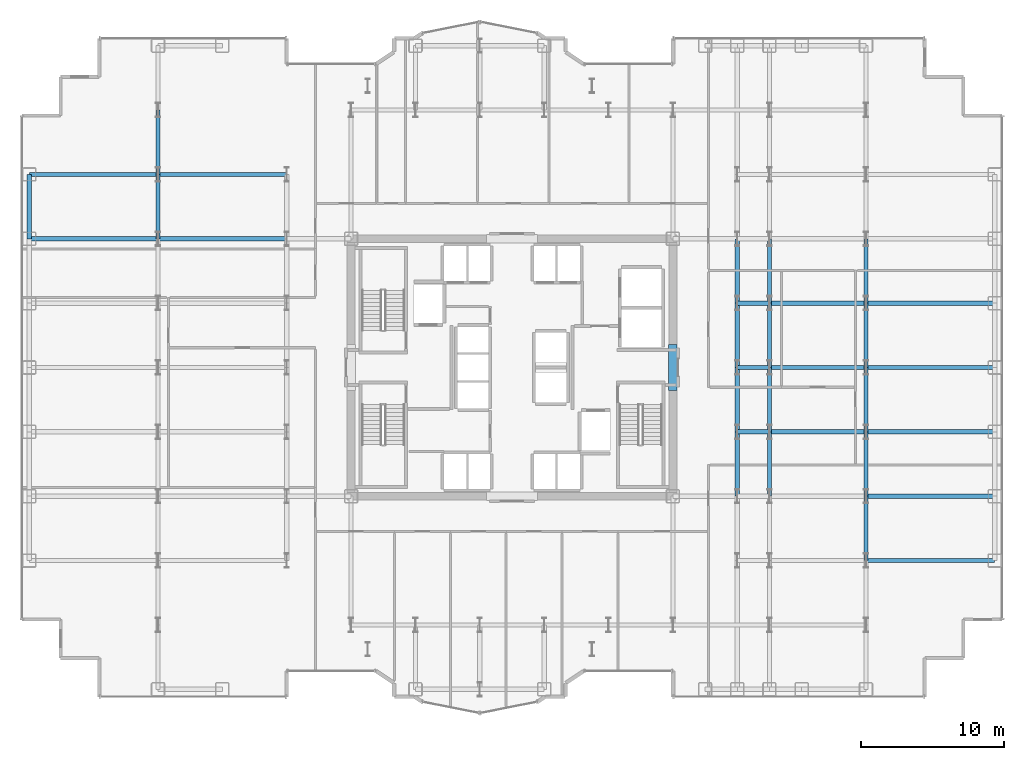
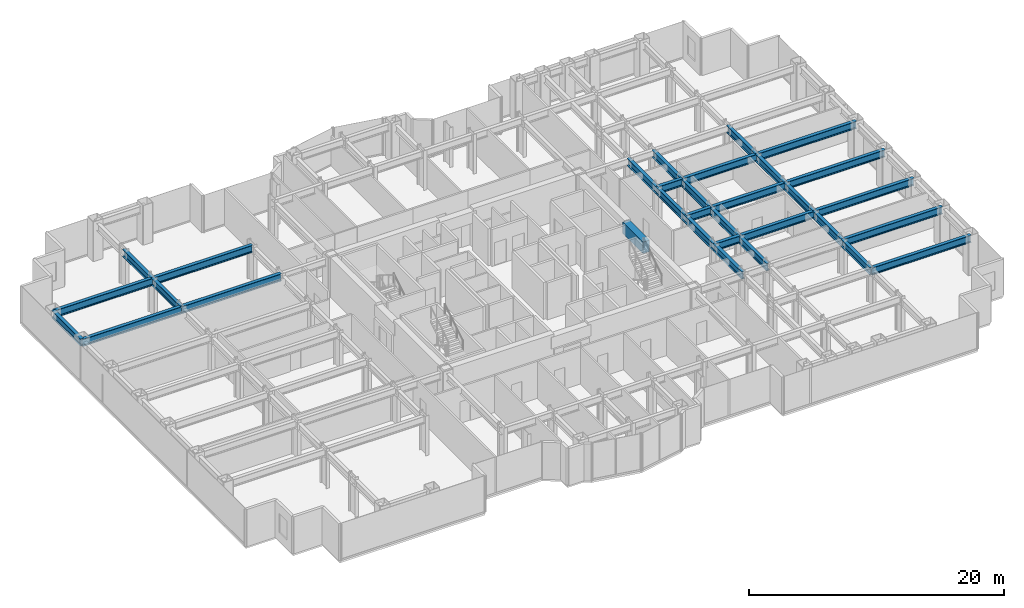
# One storey, part 8 of 25: 32 beams.
"""IFC4 building model written with IfcOpenShell, lengths in metres."""

from ifc_helpers import new_model, si_unit, direction, frame, origin, origin_2d, place, context, subcontext, project, spatial, rectangle, i_section, extrude, source, transform, mapped, material, material_profile, profile_set, type_object, element, save


model = new_model("IFC4")

# Units and contexts
model_context = context("Model", 3, precision=1e-05, world=origin(), true_north=direction((0.0, 1.0)))
body_context = subcontext(model_context, "Body", "Model", "MODEL_VIEW")
ifc_project = project(units=[si_unit("LENGTHUNIT", "METRE"), si_unit("AREAUNIT", "SQUARE_METRE"), si_unit("VOLUMEUNIT", "CUBIC_METRE"), si_unit("PLANEANGLEUNIT", "RADIAN"), si_unit("MASSUNIT", "GRAM", prefix="KILO")], contexts=[model_context])

# Site, building, storey
site_placement = place(None, origin())
site = spatial("IfcSite", under=ifc_project, at=site_placement, CompositionType="ELEMENT")
building_placement = place(site_placement, origin())
building = spatial("IfcBuilding", under=site, at=building_placement, Name="Nefas-Gora Pilgrimage Tower", CompositionType="ELEMENT")
storey_placement = place(building_placement, frame((0.0, 0.0, 98.39990234375)))
storey = spatial("IfcBuildingStorey", under=building, at=storey_placement, Name="L23", CompositionType="ELEMENT", Elevation=98.39990234375)

# Beams
ifc_material_1 = material(Name="Concrete C60/75", Category="concrete")
ifc_material_profile_1 = material_profile(ifc_material_1, rectangle(XDim=0.60009765625, YDim=1.10009765625, at=origin_2d()), Name="RC 600x1100")
ifc_profile_set_1 = profile_set([ifc_material_profile_1], Name="Concrete C60/75")
beam_type_1 = type_object("IfcBeamType", Name="BM-LIN-RC1100", PredefinedType="LINTEL", material=ifc_profile_set_1)
shared_shape_1 = source(origin(), body_context, "Body", "SweptSolid", [
    extrude(rectangle(XDim=0.60009765625, YDim=1.10009765625, at=origin_2d()), origin(), (0.0, 0.0, 1.0), 3.2001953125),
])
beam_1_placement = place(storey_placement, frame((11.25, -1.60009765625, 3.0), z_axis=(0.0, 1.0, 0.0), x_axis=(-1.0, 0.0, 0.0)))
element("IfcBeam", 1, at=beam_1_placement, inside=storey, type_object=beam_type_1, Name="L23 Core Coupling Lintel Beam E", PredefinedType="LINTEL", context=body_context, shape_type="MappedRepresentation", body=[
    mapped(shared_shape_1, transform((0.0, 0.0, 0.0), x_axis=(1.0, 0.0, 0.0), y_axis=(0.0, 1.0, 0.0), z_axis=(0.0, 0.0, 1.0), scale=1.0)),
])
ifc_material_2 = material(Name="Steel S355", Category="steel")
ifc_material_profile_2 = material_profile(ifc_material_2, i_section(OverallWidth=0.300048828125, OverallDepth=0.699951171875, WebThickness=0.01708984375, FlangeThickness=0.031982421875, FilletRadius=0.027099609375, at=origin_2d()), Name="HEB 700")
ifc_profile_set_2 = profile_set([ifc_material_profile_2], Name="Steel S355")
beam_type_2 = type_object("IfcBeamType", Name="BM-SPN-HEB600", PredefinedType="SPANDREL", material=ifc_profile_set_2)
shared_shape_2 = source(origin(), body_context, "Body", "SweptSolid", [
    extrude(i_section(OverallWidth=0.300048828125, OverallDepth=0.699951171875, WebThickness=0.01708984375, FlangeThickness=0.031982421875, FilletRadius=0.027099609375, at=origin_2d()), origin(), (0.0, 0.0, 1.0), 4.5),
])
beam_2_placement = place(storey_placement, frame((-33.75, 9.0, 3.2001953125), z_axis=(0.0, 1.0, 0.0), x_axis=(-1.0, 0.0, 0.0)))
element("IfcBeam", 2, at=beam_2_placement, inside=storey, type_object=beam_type_2, Name="L23 SP-01 beam", PredefinedType="SPANDREL", context=body_context, shape_type="MappedRepresentation", body=[
    mapped(shared_shape_2, transform((0.0, 0.0, 0.0), x_axis=(1.0, 0.0, 0.0), y_axis=(0.0, 1.0, 0.0), z_axis=(0.0, 0.0, 1.0), scale=1.0)),
])
ifc_material_profile_3 = material_profile(ifc_material_2, i_section(OverallWidth=0.300048828125, OverallDepth=0.699951171875, WebThickness=0.01708984375, FlangeThickness=0.031982421875, FilletRadius=0.027099609375, at=origin_2d()), Name="HEB 700")
ifc_profile_set_3 = profile_set([ifc_material_profile_3], Name="Steel S355")
beam_type_3 = type_object("IfcBeamType", Name="BM-GIR-HEB700", PredefinedType="BEAM", material=ifc_profile_set_3)
shared_shape_3 = source(origin(), body_context, "Body", "SweptSolid", [
    extrude(i_section(OverallWidth=0.300048828125, OverallDepth=0.699951171875, WebThickness=0.01708984375, FlangeThickness=0.031982421875, FilletRadius=0.027099609375, at=origin_2d()), origin(), (0.0, 0.0, 1.0), 9.0),
])
for number, where, z_axis, x_axis, name in (
    (3, (-33.75, 9.0, 3.2001953125), (1.0, 0.0, 0.0), (0.0, 1.0, 0.0), "L23 G-02 beam"),
    (4, (-33.75, 13.5, 3.2001953125), (1.0, 0.0, 0.0), (0.0, 1.0, 0.0), "L23 G-02 beam"),
    (5, (-24.75, 9.0, 3.2001953125), (1.0, 0.0, 0.0), (0.0, 1.0, 0.0), "L23 G-02 beam"),
    (6, (-24.75, 13.5, 3.2001953125), (1.0, 0.0, 0.0), (0.0, 1.0, 0.0), "L23 G-02 beam"),
    (7, (24.75, -13.5, 3.2001953125), (1.0, 0.0, 0.0), (0.0, 1.0, 0.0), "L23 G-02 beam"),
    (8, (24.75, -9.0, 3.2001953125), (1.0, 0.0, 0.0), (0.0, 1.0, 0.0), "L23 G-02 beam"),
    (9, (24.75, -4.5, 3.2001953125), (1.0, 0.0, 0.0), (0.0, 1.0, 0.0), "L23 G-02 beam"),
    (10, (24.75, 0.0, 3.2001953125), (1.0, 0.0, 0.0), (0.0, 1.0, 0.0), "L23 G-02 beam"),
    (11, (24.75, 4.5, 3.2001953125), (1.0, 0.0, 0.0), (0.0, 1.0, 0.0), "L23 G-02 beam"),
):
    element("IfcBeam", number, at=place(storey_placement, frame(where, z_axis=z_axis, x_axis=x_axis)), inside=storey, type_object=beam_type_3, Name=name, PredefinedType="BEAM", context=body_context, shape_type="MappedRepresentation", body=[
        mapped(shared_shape_3, transform((0.0, 0.0, 0.0), x_axis=(1.0, 0.0, 0.0), y_axis=(0.0, 1.0, 0.0), z_axis=(0.0, 0.0, 1.0), scale=1.0)),
    ])
shared_shape_4 = source(origin(), body_context, "Body", "SweptSolid", [
    extrude(i_section(OverallWidth=0.300048828125, OverallDepth=0.699951171875, WebThickness=0.01708984375, FlangeThickness=0.031982421875, FilletRadius=0.027099609375, at=origin_2d()), origin(), (0.0, 0.0, 1.0), 4.5),
])
for number, where, z_axis, x_axis, name in (
    (12, (-24.75, 9.0, 3.2001953125), (0.0, 1.0, 0.0), (-1.0, 0.0, 0.0), "L23 G-02 beam"),
    (13, (-24.75, 13.5, 3.2001953125), (0.0, 1.0, 0.0), (-1.0, 0.0, 0.0), "L23 G-02 beam"),
    (14, (15.75, -9.0, 3.2001953125), (0.0, 1.0, 0.0), (-1.0, 0.0, 0.0), "L23 G-02 beam"),
    (15, (15.75, -4.5, 3.2001953125), (0.0, 1.0, 0.0), (-1.0, 0.0, 0.0), "L23 G-02 beam"),
    (16, (15.75, 0.0, 3.2001953125), (0.0, 1.0, 0.0), (-1.0, 0.0, 0.0), "L23 G-02 beam"),
    (17, (15.75, 4.5, 3.2001953125), (0.0, 1.0, 0.0), (-1.0, 0.0, 0.0), "L23 G-02 beam"),
    (18, (18.0, -9.0, 3.2001953125), (0.0, 1.0, 0.0), (-1.0, 0.0, 0.0), "L23 G-02 beam"),
    (19, (18.0, -4.5, 3.2001953125), (0.0, 1.0, 0.0), (-1.0, 0.0, 0.0), "L23 G-02 beam"),
    (20, (18.0, 0.0, 3.2001953125), (0.0, 1.0, 0.0), (-1.0, 0.0, 0.0), "L23 G-02 beam"),
    (21, (18.0, 4.5, 3.2001953125), (0.0, 1.0, 0.0), (-1.0, 0.0, 0.0), "L23 G-02 beam"),
    (22, (24.75, -13.5, 3.2001953125), (0.0, 1.0, 0.0), (-1.0, 0.0, 0.0), "L23 G-02 beam"),
    (23, (24.75, -9.0, 3.2001953125), (0.0, 1.0, 0.0), (-1.0, 0.0, 0.0), "L23 G-02 beam"),
    (24, (24.75, -4.5, 3.2001953125), (0.0, 1.0, 0.0), (-1.0, 0.0, 0.0), "L23 G-02 beam"),
    (25, (24.75, 0.0, 3.2001953125), (0.0, 1.0, 0.0), (-1.0, 0.0, 0.0), "L23 G-02 beam"),
    (26, (24.75, 4.5, 3.2001953125), (0.0, 1.0, 0.0), (-1.0, 0.0, 0.0), "L23 G-02 beam"),
):
    element("IfcBeam", number, at=place(storey_placement, frame(where, z_axis=z_axis, x_axis=x_axis)), inside=storey, type_object=beam_type_3, Name=name, PredefinedType="BEAM", context=body_context, shape_type="MappedRepresentation", body=[
        mapped(shared_shape_4, transform((0.0, 0.0, 0.0), x_axis=(1.0, 0.0, 0.0), y_axis=(0.0, 1.0, 0.0), z_axis=(0.0, 0.0, 1.0), scale=1.0)),
    ])
shared_shape_5 = source(origin(), body_context, "Body", "SweptSolid", [
    extrude(i_section(OverallWidth=0.300048828125, OverallDepth=0.699951171875, WebThickness=0.01708984375, FlangeThickness=0.031982421875, FilletRadius=0.027099609375, at=origin_2d()), origin(), (0.0, 0.0, 1.0), 6.75),
])
for number, where, z_axis, x_axis, name in (
    (27, (18.0, -4.5, 3.2001953125), (1.0, 0.0, 0.0), (0.0, 1.0, 0.0), "L23 G-02 beam"),
    (28, (18.0, 0.0, 3.2001953125), (1.0, 0.0, 0.0), (0.0, 1.0, 0.0), "L23 G-02 beam"),
    (29, (18.0, 4.5, 3.2001953125), (1.0, 0.0, 0.0), (0.0, 1.0, 0.0), "L23 G-02 beam"),
):
    element("IfcBeam", number, at=place(storey_placement, frame(where, z_axis=z_axis, x_axis=x_axis)), inside=storey, type_object=beam_type_3, Name=name, PredefinedType="BEAM", context=body_context, shape_type="MappedRepresentation", body=[
        mapped(shared_shape_5, transform((0.0, 0.0, 0.0), x_axis=(1.0, 0.0, 0.0), y_axis=(0.0, 1.0, 0.0), z_axis=(0.0, 0.0, 1.0), scale=1.0)),
    ])
shared_shape_6 = source(origin(), body_context, "Body", "SweptSolid", [
    extrude(i_section(OverallWidth=0.300048828125, OverallDepth=0.699951171875, WebThickness=0.01708984375, FlangeThickness=0.031982421875, FilletRadius=0.027099609375, at=origin_2d()), origin(), (0.0, 0.0, 1.0), 2.25),
])
for number, where, z_axis, x_axis, name in (
    (30, (15.75, -4.5, 3.2001953125), (1.0, 0.0, 0.0), (0.0, 1.0, 0.0), "L23 G-02 beam"),
    (31, (15.75, 0.0, 3.2001953125), (1.0, 0.0, 0.0), (0.0, 1.0, 0.0), "L23 G-02 beam"),
    (32, (15.75, 4.5, 3.2001953125), (1.0, 0.0, 0.0), (0.0, 1.0, 0.0), "L23 G-02 beam"),
):
    element("IfcBeam", number, at=place(storey_placement, frame(where, z_axis=z_axis, x_axis=x_axis)), inside=storey, type_object=beam_type_3, Name=name, PredefinedType="BEAM", context=body_context, shape_type="MappedRepresentation", body=[
        mapped(shared_shape_6, transform((0.0, 0.0, 0.0), x_axis=(1.0, 0.0, 0.0), y_axis=(0.0, 1.0, 0.0), z_axis=(0.0, 0.0, 1.0), scale=1.0)),
    ])

save(model, "model.ifc")
